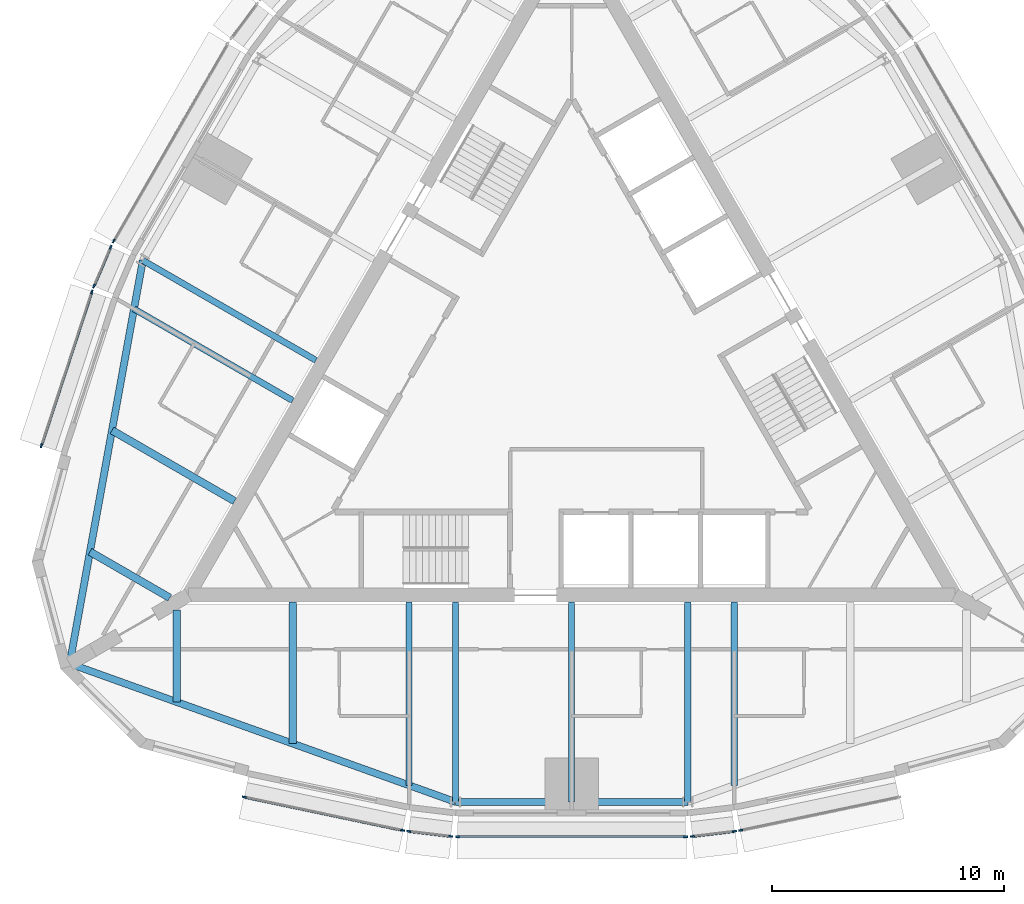
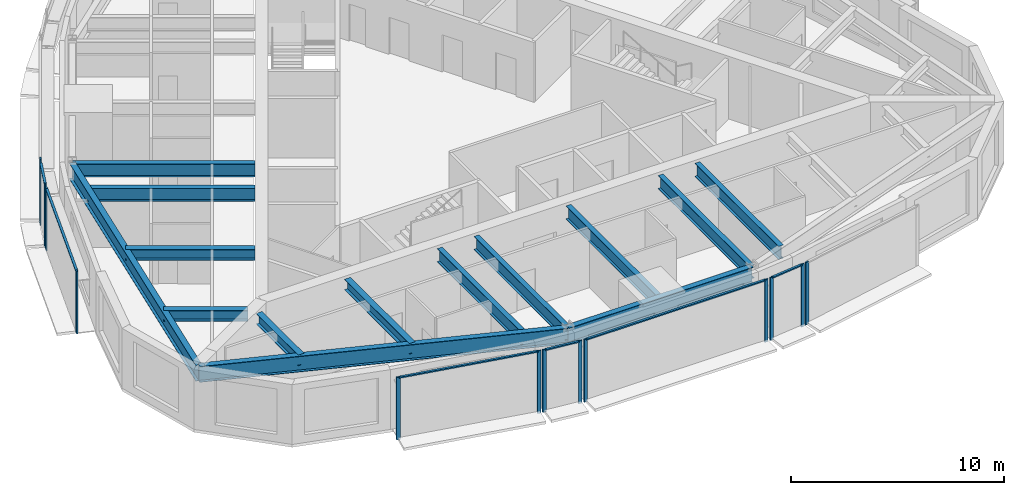
# One storey, part 2 of 12: 20 members, 14 beams, 8 elements without a shape of their own.
"""IFC4 building model written with IfcOpenShell, lengths in metres."""

from ifc_helpers import new_model, si_unit, direction, frame, origin, origin_2d, place, context, subcontext, project, spatial, rectangle, i_section, extrude, material, material_profile, profile_set, type_object, element, aggregate, save


model = new_model("IFC4")

# Units and contexts
model_context = context("Model", 3, precision=1e-05, world=origin(), true_north=direction((0.0, 1.0)))
body_context = subcontext(model_context, "Body", "Model", "MODEL_VIEW")
ifc_project = project(units=[si_unit("LENGTHUNIT", "METRE"), si_unit("AREAUNIT", "SQUARE_METRE"), si_unit("VOLUMEUNIT", "CUBIC_METRE"), si_unit("PLANEANGLEUNIT", "RADIAN"), si_unit("MASSUNIT", "GRAM", prefix="KILO")], contexts=[model_context])

# Site, building, storey
site_placement = place(None, origin())
site = spatial("IfcSite", under=ifc_project, at=site_placement, CompositionType="ELEMENT")
building_placement = place(site_placement, origin())
building = spatial("IfcBuilding", under=site, at=building_placement, Name="Trikona Tower", CompositionType="ELEMENT")
storey_placement = place(building_placement, frame((0.0, 0.0, 246.5)))
storey = spatial("IfcBuildingStorey", under=building, at=storey_placement, Name="L65", CompositionType="ELEMENT", Elevation=246.5)

# Curtain wall, members
ifc_material_1 = material(Name="Aluminium curtain wall system", Category="aluminium")
curtain_wall_type = type_object("IfcCurtainWallType", Name="Curtain wall DS3", PredefinedType="NOTDEFINED", material=ifc_material_1)
curtain_wall_1_placement = place(storey_placement, origin())
curtain_wall_1 = element("IfcCurtainWall", 1, at=curtain_wall_1_placement, inside=storey, type_object=curtain_wall_type, Name="Curtain wall DS3 L65", PredefinedType="NOTDEFINED")
ifc_material_2 = material(Name="Aluminium mullion, pale anodised", Category="aluminium")
ifc_material_profile_1 = material_profile(ifc_material_2, rectangle(XDim=0.070068359375, YDim=0.179931640625, at=origin_2d()), Name="MUL-DS3")
ifc_profile_set_1 = profile_set([ifc_material_profile_1], Name="Aluminium mullion, pale anodised")
member_type_1 = type_object("IfcMemberType", Name="Mullion DS3 70x180", PredefinedType="MULLION", material=ifc_profile_set_1)
member_1_placement = place(storey_placement, frame((-14.092041015625, -18.220703125, 0.0), z_axis=(0.0, 0.0, 1.0), x_axis=(0.205527448396, 0.978651351583, 0.0)))
member_1 = element("IfcMember", 2, at=member_1_placement, type_object=member_type_1, Name="CW-DS3 mullion 1", PredefinedType="MULLION", context=body_context, shape_type="SweptSolid", body=[
    extrude(rectangle(XDim=0.070068359375, YDim=0.179931640625, at=origin_2d()), origin(), (0.0, 0.0, 1.0), 3.60009765625),
])
member_2_placement = place(storey_placement, frame((-7.27783203125, -19.65185546875, 0.0), z_axis=(0.0, 0.0, 1.0), x_axis=(0.205527448396, 0.978651351583, 0.0)))
member_2 = element("IfcMember", 3, at=member_2_placement, type_object=member_type_1, Name="CW-DS3 mullion 2", PredefinedType="MULLION", context=body_context, shape_type="SweptSolid", body=[
    extrude(rectangle(XDim=0.070068359375, YDim=0.179931640625, at=origin_2d()), origin(), (0.0, 0.0, 1.0), 3.60009765625),
])

curtain_wall_2_placement = place(storey_placement, origin())
curtain_wall_2 = element("IfcCurtainWall", 4, at=curtain_wall_2_placement, inside=storey, type_object=curtain_wall_type, Name="Curtain wall DS3 L65", PredefinedType="NOTDEFINED")
member_3_placement = place(storey_placement, frame((-7.012939453125, -19.6953125, 0.0), z_axis=(0.0, 0.0, 1.0), x_axis=(0.119141057581, 0.992877338043, 0.0)))
member_3 = element("IfcMember", 5, at=member_3_placement, type_object=member_type_1, Name="CW-DS3 mullion 1", PredefinedType="MULLION", context=body_context, shape_type="SweptSolid", body=[
    extrude(rectangle(XDim=0.070068359375, YDim=0.179931640625, at=origin_2d()), origin(), (0.0, 0.0, 1.0), 3.60009765625),
])
member_4_placement = place(storey_placement, frame((-5.20166015625, -19.912841796875, 0.0), z_axis=(0.0, 0.0, 1.0), x_axis=(0.119141057581, 0.992877338043, 0.0)))
member_4 = element("IfcMember", 6, at=member_4_placement, type_object=member_type_1, Name="CW-DS3 mullion 2", PredefinedType="MULLION", context=body_context, shape_type="SweptSolid", body=[
    extrude(rectangle(XDim=0.070068359375, YDim=0.179931640625, at=origin_2d()), origin(), (0.0, 0.0, 1.0), 3.60009765625),
])

curtain_wall_3_placement = place(storey_placement, origin())
curtain_wall_3 = element("IfcCurtainWall", 7, at=curtain_wall_3_placement, inside=storey, type_object=curtain_wall_type, Name="Curtain wall DS3 L65", PredefinedType="NOTDEFINED")
member_5_placement = place(storey_placement, frame((-4.905029296875, -19.930419921875, 0.0), z_axis=(0.0, 0.0, 1.0), x_axis=(0.0, 1.0, 0.0)))
member_5 = element("IfcMember", 8, at=member_5_placement, type_object=member_type_1, Name="CW-DS3 mullion 1", PredefinedType="MULLION", context=body_context, shape_type="SweptSolid", body=[
    extrude(rectangle(XDim=0.070068359375, YDim=0.179931640625, at=origin_2d()), origin(), (0.0, 0.0, 1.0), 3.60009765625),
])
member_6_placement = place(storey_placement, frame((4.905029296875, -19.930419921875, 0.0), z_axis=(0.0, 0.0, 1.0), x_axis=(0.0, 1.0, 0.0)))
member_6 = element("IfcMember", 9, at=member_6_placement, type_object=member_type_1, Name="CW-DS3 mullion 2", PredefinedType="MULLION", context=body_context, shape_type="SweptSolid", body=[
    extrude(rectangle(XDim=0.070068359375, YDim=0.179931640625, at=origin_2d()), origin(), (0.0, 0.0, 1.0), 3.60009765625),
])

curtain_wall_4_placement = place(storey_placement, origin())
curtain_wall_4 = element("IfcCurtainWall", 10, at=curtain_wall_4_placement, inside=storey, type_object=curtain_wall_type, Name="Curtain wall DS3 L65", PredefinedType="NOTDEFINED")
member_7_placement = place(storey_placement, frame((5.20166015625, -19.912841796875, 0.0), z_axis=(0.0, 0.0, 1.0), x_axis=(-0.119141057581, 0.992877338043, 0.0)))
member_7 = element("IfcMember", 11, at=member_7_placement, type_object=member_type_1, Name="CW-DS3 mullion 1", PredefinedType="MULLION", context=body_context, shape_type="SweptSolid", body=[
    extrude(rectangle(XDim=0.070068359375, YDim=0.179931640625, at=origin_2d()), origin(), (0.0, 0.0, 1.0), 3.60009765625),
])
member_8_placement = place(storey_placement, frame((7.012939453125, -19.6953125, 0.0), z_axis=(0.0, 0.0, 1.0), x_axis=(-0.119141057581, 0.992877338043, 0.0)))
member_8 = element("IfcMember", 12, at=member_8_placement, type_object=member_type_1, Name="CW-DS3 mullion 2", PredefinedType="MULLION", context=body_context, shape_type="SweptSolid", body=[
    extrude(rectangle(XDim=0.070068359375, YDim=0.179931640625, at=origin_2d()), origin(), (0.0, 0.0, 1.0), 3.60009765625),
])

# Curtain wall, member
curtain_wall_5_placement = place(storey_placement, origin())
curtain_wall_5 = element("IfcCurtainWall", 13, at=curtain_wall_5_placement, inside=storey, type_object=curtain_wall_type, Name="Curtain wall DS3 L65", PredefinedType="NOTDEFINED")
member_9_placement = place(storey_placement, frame((7.27783203125, -19.65185546875, 0.0), z_axis=(0.0, 0.0, 1.0), x_axis=(-0.205527448396, 0.978651351583, 0.0)))
member_9 = element("IfcMember", 14, at=member_9_placement, type_object=member_type_1, Name="CW-DS3 mullion 1", PredefinedType="MULLION", context=body_context, shape_type="SweptSolid", body=[
    extrude(rectangle(XDim=0.070068359375, YDim=0.179931640625, at=origin_2d()), origin(), (0.0, 0.0, 1.0), 3.60009765625),
])
aggregate(curtain_wall_5, [member_9])

curtain_wall_6_placement = place(storey_placement, origin())
curtain_wall_6 = element("IfcCurtainWall", 15, at=curtain_wall_6_placement, inside=storey, type_object=curtain_wall_type, Name="Curtain wall DS3 L65", PredefinedType="NOTDEFINED")
member_10_placement = place(storey_placement, frame((-19.712890625, 5.717529296875, 0.0), z_axis=(0.0, 0.0, 1.0), x_axis=(0.866024619633, -0.500001358187, 0.0)))
member_10 = element("IfcMember", 16, at=member_10_placement, type_object=member_type_1, Name="CW-DS3 mullion 2", PredefinedType="MULLION", context=body_context, shape_type="SweptSolid", body=[
    extrude(rectangle(XDim=0.070068359375, YDim=0.179931640625, at=origin_2d()), origin(), (0.0, 0.0, 1.0), 3.60009765625),
])
aggregate(curtain_wall_6, [member_10])

# Curtain wall, members
curtain_wall_7_placement = place(storey_placement, origin())
curtain_wall_7 = element("IfcCurtainWall", 17, at=curtain_wall_7_placement, inside=storey, type_object=curtain_wall_type, Name="Curtain wall DS3 L65", PredefinedType="NOTDEFINED")
member_11_placement = place(storey_placement, frame((-19.845703125, 5.45166015625, 0.0), z_axis=(0.0, 0.0, 1.0), x_axis=(0.919420580163, -0.393275726143, 0.0)))
member_11 = element("IfcMember", 18, at=member_11_placement, type_object=member_type_1, Name="CW-DS3 mullion 1", PredefinedType="MULLION", context=body_context, shape_type="SweptSolid", body=[
    extrude(rectangle(XDim=0.070068359375, YDim=0.179931640625, at=origin_2d()), origin(), (0.0, 0.0, 1.0), 3.60009765625),
])
member_12_placement = place(storey_placement, frame((-20.563232421875, 3.7744140625, 0.0), z_axis=(0.0, 0.0, 1.0), x_axis=(0.919420580163, -0.393275726143, 0.0)))
member_12 = element("IfcMember", 19, at=member_12_placement, type_object=member_type_1, Name="CW-DS3 mullion 2", PredefinedType="MULLION", context=body_context, shape_type="SweptSolid", body=[
    extrude(rectangle(XDim=0.070068359375, YDim=0.179931640625, at=origin_2d()), origin(), (0.0, 0.0, 1.0), 3.60009765625),
])

curtain_wall_8_placement = place(storey_placement, origin())
curtain_wall_8 = element("IfcCurtainWall", 20, at=curtain_wall_8_placement, inside=storey, type_object=curtain_wall_type, Name="Curtain wall DS3 L65", PredefinedType="NOTDEFINED")
member_13_placement = place(storey_placement, frame((-20.657958984375, 3.52294921875, 0.0), z_axis=(0.0, 0.0, 1.0), x_axis=(0.95029742275, -0.311343553515, 0.0)))
member_13 = element("IfcMember", 21, at=member_13_placement, type_object=member_type_1, Name="CW-DS3 mullion 1", PredefinedType="MULLION", context=body_context, shape_type="SweptSolid", body=[
    extrude(rectangle(XDim=0.070068359375, YDim=0.179931640625, at=origin_2d()), origin(), (0.0, 0.0, 1.0), 3.60009765625),
])
member_14_placement = place(storey_placement, frame((-22.82568359375, -3.09375, 0.0), z_axis=(0.0, 0.0, 1.0), x_axis=(0.95029742275, -0.311343553515, 0.0)))
member_14 = element("IfcMember", 22, at=member_14_placement, type_object=member_type_1, Name="CW-DS3 mullion 2", PredefinedType="MULLION", context=body_context, shape_type="SweptSolid", body=[
    extrude(rectangle(XDim=0.070068359375, YDim=0.179931640625, at=origin_2d()), origin(), (0.0, 0.0, 1.0), 3.60009765625),
])

# Beams
ifc_material_3 = material(Name="Steel ASTM A992 Grade 50", Category="steel")
ifc_material_profile_2 = material_profile(ifc_material_3, i_section(OverallWidth=0.3251953125, OverallDepth=0.612060546875, WebThickness=0.0126953125, FlangeThickness=0.01904296875, at=origin_2d()), Name="W24X104")
ifc_profile_set_2 = profile_set([ifc_material_profile_2], Name="Steel ASTM A992 Grade 50")
beam_type_1 = type_object("IfcBeamType", Name="Steel beam W24x104 (wedge upper)", PredefinedType="BEAM", material=ifc_profile_set_2)
beam_1_placement = place(storey_placement, frame((-17.0, -10.161376953125, 3.12890625), z_axis=(0.0, -1.0, 0.0), x_axis=(1.0, 0.0, 0.0)))
element("IfcBeam", 23, at=beam_1_placement, inside=storey, type_object=beam_type_1, Name="Floor beam L66 F1 u-17", PredefinedType="BEAM", context=body_context, shape_type="SweptSolid", body=[
    extrude(i_section(OverallWidth=0.3251953125, OverallDepth=0.612060546875, WebThickness=0.0126953125, FlangeThickness=0.01904296875, at=origin_2d()), origin(), (0.0, 0.0, 1.0), 3.9677734375),
])
beam_2_placement = place(storey_placement, frame((-12.0, -9.826416015625, 3.12890625), z_axis=(0.0, -1.0, 0.0), x_axis=(1.0, 0.0, 0.0)))
element("IfcBeam", 24, at=beam_2_placement, inside=storey, type_object=beam_type_1, Name="Floor beam L66 F1 u-12", PredefinedType="BEAM", context=body_context, shape_type="SweptSolid", body=[
    extrude(i_section(OverallWidth=0.3251953125, OverallDepth=0.612060546875, WebThickness=0.0126953125, FlangeThickness=0.01904296875, at=origin_2d()), origin(), (0.0, 0.0, 1.0), 6.094970703125),
])
beam_3_placement = place(storey_placement, frame((-14.509765625, -5.479248046875, 3.12890625), z_axis=(-0.866023498866, 0.500003299401, 0.0), x_axis=(-0.500003299401, -0.866023498866, 0.0)))
element("IfcBeam", 25, at=beam_3_placement, inside=storey, type_object=beam_type_1, Name="Floor beam L66 F3 u12", PredefinedType="BEAM", context=body_context, shape_type="SweptSolid", body=[
    extrude(i_section(OverallWidth=0.3251953125, OverallDepth=0.612060546875, WebThickness=0.0126953125, FlangeThickness=0.01904296875, at=origin_2d()), origin(), (0.0, 0.0, 1.0), 6.09521484375),
])
beam_4_placement = place(storey_placement, frame((-17.300048828125, -9.6416015625, 3.12890625), z_axis=(-0.866030866614, 0.499990537983, 0.0), x_axis=(-0.499990537983, -0.866030866614, 0.0)))
element("IfcBeam", 26, at=beam_4_placement, inside=storey, type_object=beam_type_1, Name="Floor beam L66 F3 u17", PredefinedType="BEAM", context=body_context, shape_type="SweptSolid", body=[
    extrude(i_section(OverallWidth=0.3251953125, OverallDepth=0.612060546875, WebThickness=0.0126953125, FlangeThickness=0.01904296875, at=origin_2d()), origin(), (0.0, 0.0, 1.0), 3.9677734375),
])
ifc_material_4 = material(Name="Steel ASTM A992 Grade 50", Category="steel")
ifc_material_profile_3 = material_profile(ifc_material_4, i_section(OverallWidth=0.2666015625, OverallDepth=0.7568359375, WebThickness=0.013916015625, FlangeThickness=0.019287109375, at=origin_2d()), Name="W30X108")
ifc_profile_set_3 = profile_set([ifc_material_profile_3], Name="Steel ASTM A992 Grade 50")
beam_type_2 = type_object("IfcBeamType", Name="Steel beam W30x108 (radial upper)", PredefinedType="BEAM", material=ifc_profile_set_3)
beam_5_placement = place(storey_placement, frame((-7.0, -9.826416015625, 3.056396484375), z_axis=(0.0, -1.0, 0.0), x_axis=(1.0, 0.0, 0.0)))
element("IfcBeam", 27, at=beam_5_placement, inside=storey, type_object=beam_type_2, Name="Floor beam L66 F1 u-7", PredefinedType="BEAM", context=body_context, shape_type="SweptSolid", body=[
    extrude(i_section(OverallWidth=0.2666015625, OverallDepth=0.7568359375, WebThickness=0.013916015625, FlangeThickness=0.019287109375, at=origin_2d()), origin(), (0.0, 0.0, 1.0), 7.88720703125),
])
for number, where, z_axis, x_axis, name in (
    (28, (-5.0, -9.826416015625, 3.056396484375), (0.0, -1.0, 0.0), (1.0, 0.0, 0.0), "Floor beam L66 F1 u-5"),
    (29, (0.0, -9.826416015625, 3.056396484375), (0.0, -1.0, 0.0), (1.0, 0.0, 0.0), "Floor beam L66 F1 u0"),
    (30, (5.0, -9.826416015625, 3.056396484375), (0.0, -1.0, 0.0), (1.0, 0.0, 0.0), "Floor beam L66 F1 u5"),
):
    element("IfcBeam", number, at=place(storey_placement, frame(where, z_axis=z_axis, x_axis=x_axis)), inside=storey, type_object=beam_type_2, Name=name, PredefinedType="BEAM", context=body_context, shape_type="SweptSolid", body=[
        extrude(i_section(OverallWidth=0.2666015625, OverallDepth=0.7568359375, WebThickness=0.013916015625, FlangeThickness=0.019287109375, at=origin_2d()), origin(), (0.0, 0.0, 1.0), 8.60400390625),
    ])
beam_6_placement = place(storey_placement, frame((7.0, -9.826416015625, 3.056396484375), z_axis=(0.0, -1.0, 0.0), x_axis=(1.0, 0.0, 0.0)))
element("IfcBeam", 31, at=beam_6_placement, inside=storey, type_object=beam_type_2, Name="Floor beam L66 F1 u7", PredefinedType="BEAM", context=body_context, shape_type="SweptSolid", body=[
    extrude(i_section(OverallWidth=0.2666015625, OverallDepth=0.7568359375, WebThickness=0.013916015625, FlangeThickness=0.019287109375, at=origin_2d()), origin(), (0.0, 0.0, 1.0), 7.88720703125),
])
beam_7_placement = place(storey_placement, frame((-11.009765625, 0.5830078125, 3.056396484375), z_axis=(-0.866029182723, 0.49999345463, 0.0), x_axis=(-0.49999345463, -0.866029182723, 0.0)))
element("IfcBeam", 32, at=beam_7_placement, inside=storey, type_object=beam_type_2, Name="Floor beam L66 F3 u5", PredefinedType="BEAM", context=body_context, shape_type="SweptSolid", body=[
    extrude(i_section(OverallWidth=0.2666015625, OverallDepth=0.7568359375, WebThickness=0.013916015625, FlangeThickness=0.019287109375, at=origin_2d()), origin(), (0.0, 0.0, 1.0), 8.60400390625),
])
beam_8_placement = place(storey_placement, frame((-12.009765625, -1.14892578125, 3.056396484375), z_axis=(-0.866034560358, 0.499984140014, 0.0), x_axis=(-0.499984140014, -0.866034560358, 0.0)))
element("IfcBeam", 33, at=beam_8_placement, inside=storey, type_object=beam_type_2, Name="Floor beam L66 F3 u7", PredefinedType="BEAM", context=body_context, shape_type="SweptSolid", body=[
    extrude(i_section(OverallWidth=0.2666015625, OverallDepth=0.7568359375, WebThickness=0.013916015625, FlangeThickness=0.019287109375, at=origin_2d()), origin(), (0.0, 0.0, 1.0), 7.887451171875),
])
ifc_material_5 = material(Name="Steel ASTM A992 Grade 50", Category="steel")
ifc_material_profile_4 = material_profile(ifc_material_5, i_section(OverallWidth=0.3046875, OverallDepth=0.911865234375, WebThickness=0.015869140625, FlangeThickness=0.02392578125, at=origin_2d()), Name="W36X150")
ifc_profile_set_4 = profile_set([ifc_material_profile_4], Name="Steel ASTM A992 Grade 50")
beam_type_3 = type_object("IfcBeamType", Name="Steel beam W36x150 (spandrel upper)", PredefinedType="SPANDREL", material=ifc_profile_set_4)
beam_9_placement = place(storey_placement, frame((-21.6103515625, -12.476806640625, 2.97900390625), z_axis=(0.941358144832, -0.337409014637, 0.0), x_axis=(0.337409014637, 0.941358144832, 0.0)))
element("IfcBeam", 34, at=beam_9_placement, inside=storey, type_object=beam_type_3, Name="Spandrel beam L66 F1-1", PredefinedType="SPANDREL", context=body_context, shape_type="SweptSolid", body=[
    extrude(i_section(OverallWidth=0.3046875, OverallDepth=0.911865234375, WebThickness=0.015869140625, FlangeThickness=0.02392578125, at=origin_2d()), origin(), (0.0, 0.0, 1.0), 17.64501953125),
])
beam_10_placement = place(storey_placement, frame((-5.0, -18.430419921875, 2.97900390625), z_axis=(1.0, 0.0, 0.0), x_axis=(0.0, 1.0, 0.0)))
element("IfcBeam", 35, at=beam_10_placement, inside=storey, type_object=beam_type_3, Name="Spandrel beam L66 F1-2", PredefinedType="SPANDREL", context=body_context, shape_type="SweptSolid", body=[
    extrude(i_section(OverallWidth=0.3046875, OverallDepth=0.911865234375, WebThickness=0.015869140625, FlangeThickness=0.02392578125, at=origin_2d()), origin(), (0.0, 0.0, 1.0), 10.0),
])
beam_11_placement = place(storey_placement, frame((-18.461181640625, 4.885009765625, 2.97900390625), z_axis=(-0.178472662054, -0.983944870864, 0.0), x_axis=(0.983944870864, -0.178472662054, 0.0)))
element("IfcBeam", 36, at=beam_11_placement, inside=storey, type_object=beam_type_3, Name="Spandrel beam L66 F3-3", PredefinedType="SPANDREL", context=body_context, shape_type="SweptSolid", body=[
    extrude(i_section(OverallWidth=0.3046875, OverallDepth=0.911865234375, WebThickness=0.015869140625, FlangeThickness=0.02392578125, at=origin_2d()), origin(), (0.0, 0.0, 1.0), 17.64501953125),
])

# Member
ifc_material_6 = material(Name="Aluminium transom, pale anodised", Category="aluminium")
ifc_material_profile_5 = material_profile(ifc_material_6, rectangle(XDim=0.1201171875, YDim=0.070068359375, at=origin_2d()), Name="TRN-DS3")
ifc_profile_set_5 = profile_set([ifc_material_profile_5], Name="Aluminium transom, pale anodised")
member_type_2 = type_object("IfcMemberType", Name="Transom DS3 70x120", PredefinedType="USERDEFINED", material=ifc_profile_set_5)
member_15_placement = place(storey_placement, frame((-14.0576171875, -18.22802734375, 3.56494140625), z_axis=(0.978654137783, -0.205514181021, 0.0), x_axis=(0.205514181021, 0.978654137783, 0.0)))
member_15 = element("IfcMember", 37, at=member_15_placement, type_object=member_type_2, Name="CW-DS3 transom 1.1", ObjectType="TRANSOM", PredefinedType="USERDEFINED", context=body_context, shape_type="SweptSolid", body=[
    extrude(rectangle(XDim=0.1201171875, YDim=0.070068359375, at=origin_2d()), origin(), (0.0, 0.0, 1.0), 6.892578125),
])

aggregate(curtain_wall_1, [member_1, member_2, member_15])

member_16_placement = place(storey_placement, frame((-6.978271484375, -19.699462890625, 3.56494140625), z_axis=(0.992880130449, -0.119117784396, 0.0), x_axis=(0.119117784396, 0.992880130449, 0.0)))
member_16 = element("IfcMember", 38, at=member_16_placement, type_object=member_type_2, Name="CW-DS3 transom 1.1", ObjectType="TRANSOM", PredefinedType="USERDEFINED", context=body_context, shape_type="SweptSolid", body=[
    extrude(rectangle(XDim=0.1201171875, YDim=0.070068359375, at=origin_2d()), origin(), (0.0, 0.0, 1.0), 1.75439453125),
])

aggregate(curtain_wall_2, [member_3, member_4, member_16])

member_17_placement = place(storey_placement, frame((-4.8701171875, -19.930419921875, 3.56494140625), z_axis=(1.0, 0.0, 0.0), x_axis=(0.0, 1.0, 0.0)))
member_17 = element("IfcMember", 39, at=member_17_placement, type_object=member_type_2, Name="CW-DS3 transom 1.1", ObjectType="TRANSOM", PredefinedType="USERDEFINED", context=body_context, shape_type="SweptSolid", body=[
    extrude(rectangle(XDim=0.1201171875, YDim=0.070068359375, at=origin_2d()), origin(), (0.0, 0.0, 1.0), 9.740234375),
])

aggregate(curtain_wall_3, [member_5, member_6, member_17])

member_18_placement = place(storey_placement, frame((5.236328125, -19.908447265625, 3.56494140625), z_axis=(0.992880130449, 0.119117784396, 0.0), x_axis=(-0.119117784396, 0.992880130449, 0.0)))
member_18 = element("IfcMember", 40, at=member_18_placement, type_object=member_type_2, Name="CW-DS3 transom 1.1", ObjectType="TRANSOM", PredefinedType="USERDEFINED", context=body_context, shape_type="SweptSolid", body=[
    extrude(rectangle(XDim=0.1201171875, YDim=0.070068359375, at=origin_2d()), origin(), (0.0, 0.0, 1.0), 1.75439453125),
])

aggregate(curtain_wall_4, [member_7, member_8, member_18])

member_19_placement = place(storey_placement, frame((-19.859619140625, 5.41943359375, 3.56494140625), z_axis=(-0.393314512783, -0.919403988481, 0.0), x_axis=(0.919403988481, -0.393314512783, 0.0)))
member_19 = element("IfcMember", 41, at=member_19_placement, type_object=member_type_2, Name="CW-DS3 transom 1.1", ObjectType="TRANSOM", PredefinedType="USERDEFINED", context=body_context, shape_type="SweptSolid", body=[
    extrude(rectangle(XDim=0.1201171875, YDim=0.070068359375, at=origin_2d()), origin(), (0.0, 0.0, 1.0), 1.754150390625),
])

aggregate(curtain_wall_7, [member_11, member_12, member_19])

member_20_placement = place(storey_placement, frame((-20.668701171875, 3.48974609375, 3.56494140625), z_axis=(-0.311346184, -0.950296560926, 0.0), x_axis=(0.950296560926, -0.311346184, 0.0)))
member_20 = element("IfcMember", 42, at=member_20_placement, type_object=member_type_2, Name="CW-DS3 transom 1.1", ObjectType="TRANSOM", PredefinedType="USERDEFINED", context=body_context, shape_type="SweptSolid", body=[
    extrude(rectangle(XDim=0.1201171875, YDim=0.070068359375, at=origin_2d()), origin(), (0.0, 0.0, 1.0), 6.892578125),
])

aggregate(curtain_wall_8, [member_13, member_14, member_20])

save(model, "model.ifc")
